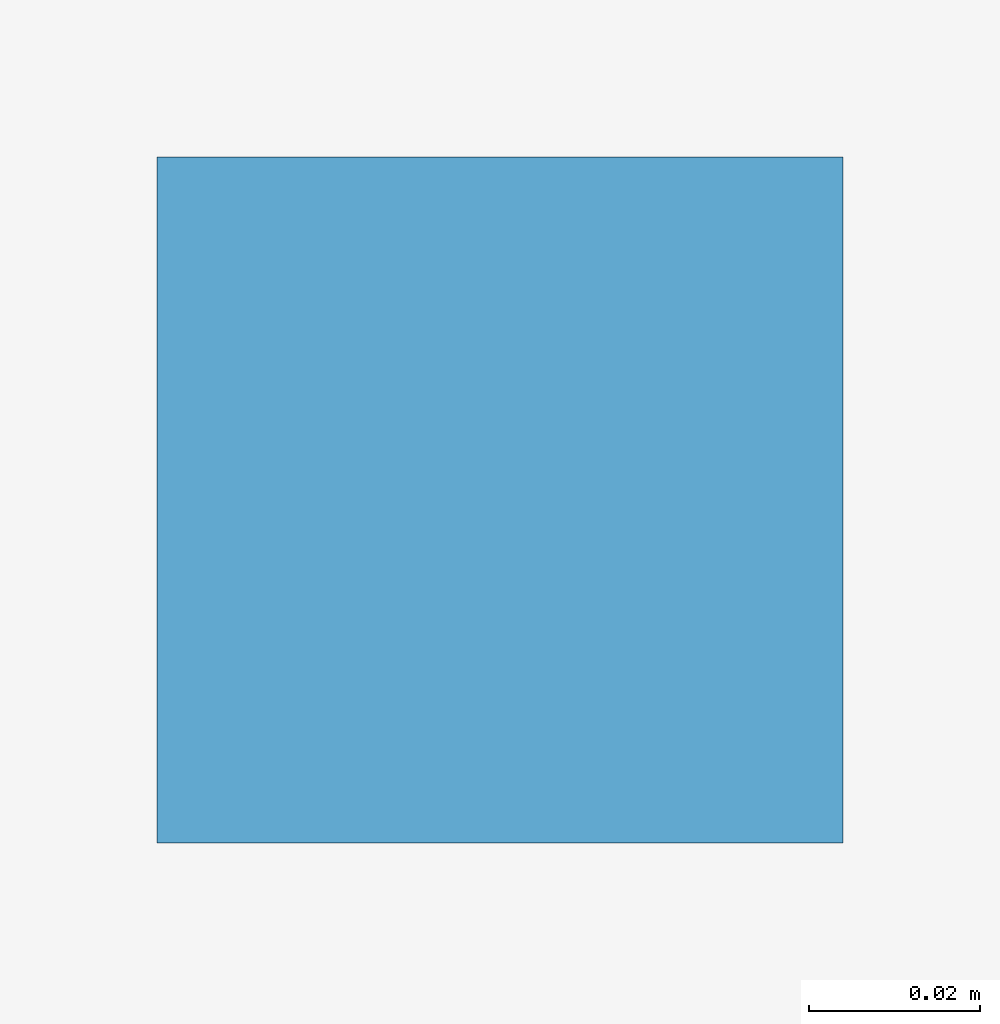
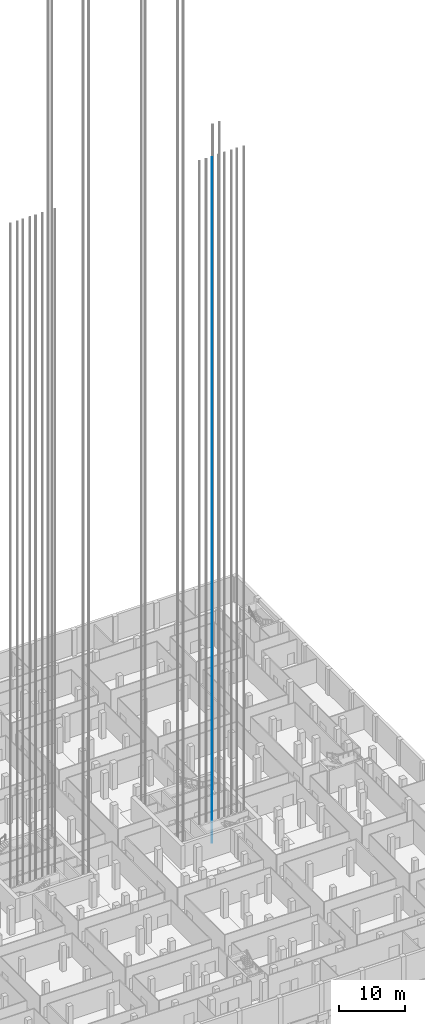
# One storey, part 44 of 54: 1 discrete accessory.
"""IFC4 building model written with IfcOpenShell, lengths in metres."""

from ifc_helpers import new_model, si_unit, direction, frame, origin, origin_2d, place, context, subcontext, project, spatial, rectangle, extrude, material, element, save


model = new_model("IFC4")

# Units and contexts
model_context = context("Model", 3, precision=1e-05, world=origin(), true_north=direction((0.0, 1.0)))
body_context = subcontext(model_context, "Body", "Model", "MODEL_VIEW")
ifc_project = project(units=[si_unit("LENGTHUNIT", "METRE"), si_unit("AREAUNIT", "SQUARE_METRE"), si_unit("VOLUMEUNIT", "CUBIC_METRE"), si_unit("PLANEANGLEUNIT", "RADIAN"), si_unit("MASSUNIT", "GRAM", prefix="KILO")], contexts=[model_context])

# Site, building, storey
site_placement = place(None, origin())
site = spatial("IfcSite", under=ifc_project, at=site_placement, CompositionType="ELEMENT")
building_placement = place(site_placement, origin())
building = spatial("IfcBuilding", under=site, at=building_placement, Name="Fustian Cross Tower", CompositionType="ELEMENT")
storey_placement = place(building_placement, frame((0.0, 0.0, -4.800048828125)))
storey = spatial("IfcBuildingStorey", under=building, at=storey_placement, Name="B1", CompositionType="ELEMENT", Elevation=-4.800048828125)

# Discrete accessory
ifc_material = material(Name="Steel S355", Category="steel")
discrete_accessory_placement = place(storey_placement, frame((14.875, -3.7099609375, 0.0), z_axis=(0.0, 0.0, 1.0), x_axis=(1.0, 0.0, 0.0)))
element("IfcDiscreteAccessory", 1, at=discrete_accessory_placement, inside=storey, material=ifc_material, Name="Lift guide rail LR2 1", PredefinedType="NOTDEFINED", context=body_context, shape_type="SweptSolid", body=[
    extrude(rectangle(XDim=0.080078125, YDim=0.080078125, at=origin_2d()), origin(), (0.0, 0.0, 1.0), 127.14990234375),
])

save(model, "model.ifc")
